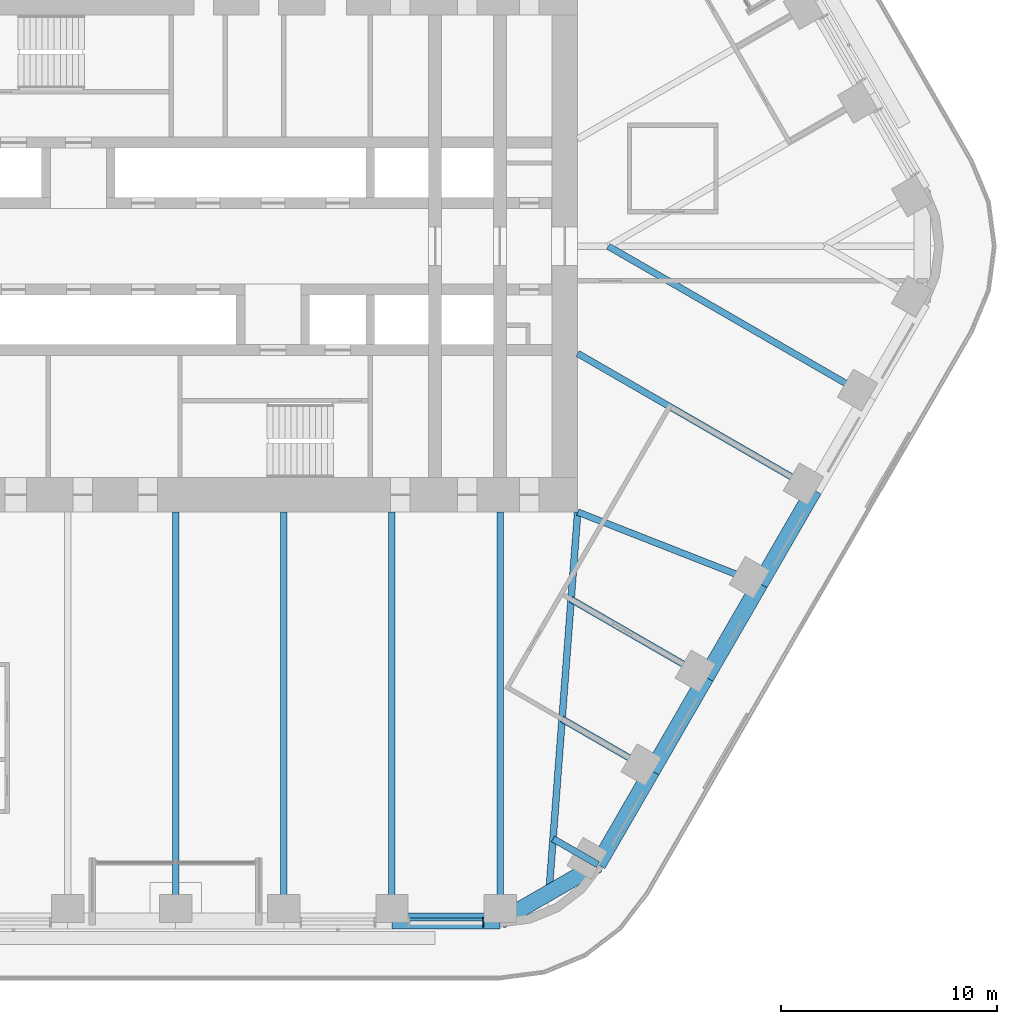
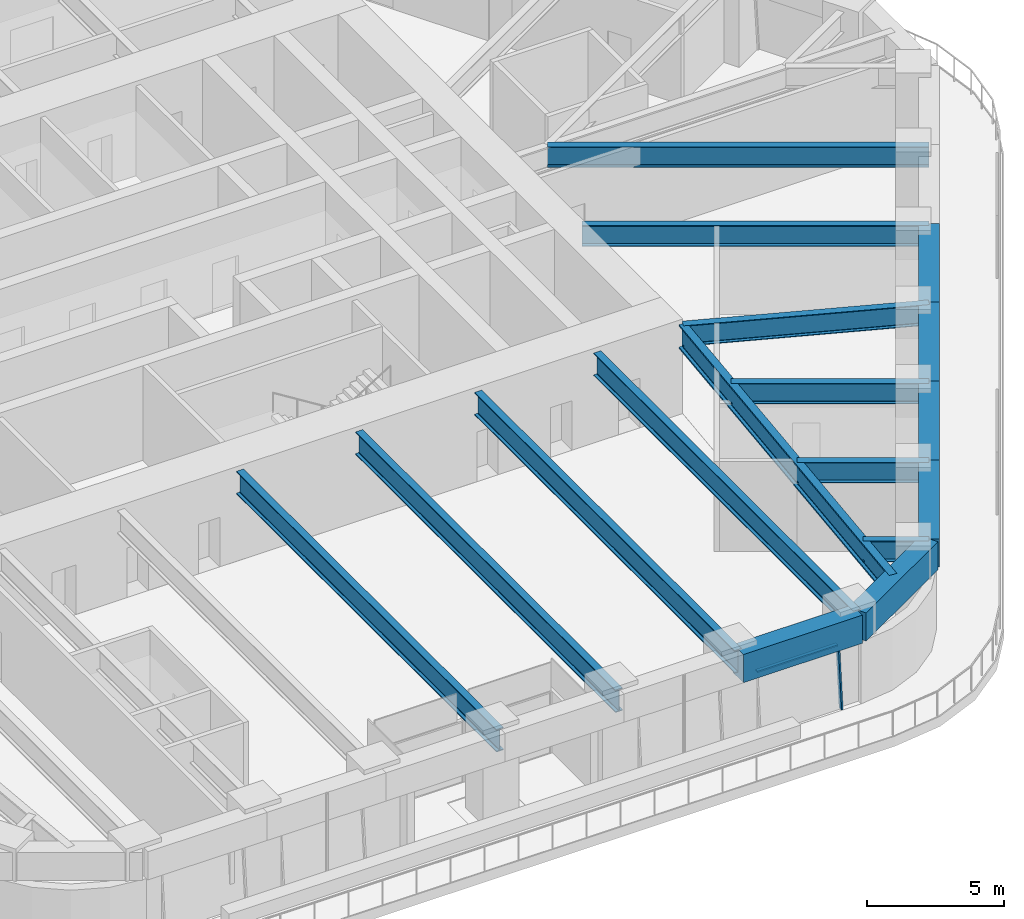
# One storey, part 5 of 24: 17 beams, 2 members, 1 element without a shape of its own.
"""IFC4 building model written with IfcOpenShell, lengths in metres."""

import ifcopenshell
import ifcopenshell.guid

model = None  # the IFC model being written
_history = None  # IfcOwnerHistory: only IFC2X3 demands one
_inside = {}  # id of a spatial element -> (the spatial element, [elements in it])
_under = {}  # id of a project, library or spatial element -> (it, [spatial elements below it])
_declared = {}  # id of a project -> (the project, [libraries it declares])
_typed = {}  # id of a type object -> (the type object, [elements of that type])
_made_of = {}  # id of a material, layer set ... -> (it, [elements and type objects made of it])


def new_model(schema):
    """Start an empty IFC model of exactly this schema.

    Asked for "IFC4X3", IfcOpenShell would pick the latest addendum, in which some entities
    have other attributes; the version numbers below select the first issue.
    IFC2X3 requires an IfcOwnerHistory on every rooted entity: one is made here for all.
    """
    global model, _history
    if schema == "IFC4X3":
        model = ifcopenshell.file(schema_version=(4, 3, 0, 0))
    else:
        model = ifcopenshell.file(schema=schema)
    _inside.clear()
    _under.clear()
    _declared.clear()
    _typed.clear()
    _made_of.clear()
    _history = None
    if model.schema == "IFC2X3":
        org = make("IfcOrganization", Name="unknown")
        user = make(
            "IfcPersonAndOrganization",
            ThePerson=make("IfcPerson", FamilyName="unknown"),
            TheOrganization=org,
        )
        app = make(
            "IfcApplication",
            ApplicationDeveloper=org,
            Version="unknown",
            ApplicationFullName="unknown",
            ApplicationIdentifier="unknown",
        )
        _history = make(
            "IfcOwnerHistory",
            OwningUser=user,
            OwningApplication=app,
            ChangeAction="ADDED",
            CreationDate=0,
        )
    return model


def make(cls, **values):
    """One entity of the class cls with the attributes given. An attribute that is None is left unset."""
    return model.create_entity(
        cls, **{name: value for name, value in values.items() if value is not None}
    )


def rooted(cls, **values):
    """An entity with a GlobalId (a new one), such as an element, a storey or a relation."""
    return make(cls, GlobalId=ifcopenshell.guid.new(), OwnerHistory=_history, **values)


def si_unit(unit_type, name, prefix=None):
    """IfcSIUnit, for example si_unit("LENGTHUNIT", "METRE", prefix="MILLI")."""
    return make("IfcSIUnit", UnitType=unit_type, Prefix=prefix, Name=name)


def assignment(units):
    """IfcUnitAssignment: the units of a project."""
    return None if units is None else make("IfcUnitAssignment", Units=units)


def point(xyz):
    """IfcCartesianPoint."""
    return None if xyz is None else make("IfcCartesianPoint", Coordinates=xyz)


def direction(xyz):
    """IfcDirection."""
    return None if xyz is None else make("IfcDirection", DirectionRatios=xyz)


def frame(location, z_axis=None, x_axis=None):
    """IfcAxis2Placement3D, a coordinate frame: its origin and axes. An axis left out is left unset."""
    return make(
        "IfcAxis2Placement3D",
        Location=point(location),
        Axis=direction(z_axis),
        RefDirection=direction(x_axis),
    )


def frame_2d(location, x_axis=None):
    """IfcAxis2Placement2D, a coordinate frame in the plane: its origin and x axis."""
    return make(
        "IfcAxis2Placement2D", Location=point(location), RefDirection=direction(x_axis)
    )


def origin():
    """The frame at (0, 0, 0) with its axes left unset."""
    return frame((0.0, 0.0, 0.0))


def origin_2d():
    """The frame at (0, 0) in the plane with its x axis left unset."""
    return frame_2d((0.0, 0.0))


def place(relative_to, where):
    """IfcLocalPlacement: puts the frame where relative to a parent placement (None: the world)."""
    return make(
        "IfcLocalPlacement", PlacementRelTo=relative_to, RelativePlacement=where
    )


def context(
    kind, dimensions, precision=None, world=None, true_north=None, identifier=None
):
    """IfcGeometricRepresentationContext, for example the 3D "Model" context."""
    return make(
        "IfcGeometricRepresentationContext",
        ContextIdentifier=identifier,
        ContextType=kind,
        CoordinateSpaceDimension=dimensions,
        Precision=precision,
        WorldCoordinateSystem=world,
        TrueNorth=true_north,
    )


def subcontext(parent, identifier, kind, view, scale=None):
    """IfcGeometricRepresentationSubContext, for example "Body" below "Model"."""
    return make(
        "IfcGeometricRepresentationSubContext",
        ContextIdentifier=identifier,
        ContextType=kind,
        ParentContext=parent,
        TargetScale=scale,
        TargetView=view,
    )


def project(units=None, contexts=None):
    """IfcProject with its units and contexts."""
    return rooted(
        "IfcProject",
        Name="project",
        RepresentationContexts=contexts,
        UnitsInContext=assignment(units),
    )


def spatial(cls, under=None, at=None, **own):
    """A site, building, storey or space (cls), placed at a placement, below another one or the project."""
    s = rooted(cls, ObjectPlacement=at, **own)
    if under is not None:
        _under.setdefault(under.id(), (under, []))[1].append(s)
    return s


def profile(cls, at=None, kind="AREA", **sizes):
    """A parametric profile (cls). Its sizes go by their IFC names, for example OverallWidth=200.0."""
    return make(cls, ProfileType=kind, Position=at, **sizes)


def rectangle(**sizes):
    """IfcRectangleProfileDef."""
    return profile("IfcRectangleProfileDef", **sizes)


def i_section(**sizes):
    """IfcIShapeProfileDef."""
    return profile("IfcIShapeProfileDef", **sizes)


def extrude(swept, where, along, depth):
    """IfcExtrudedAreaSolid: the profile swept, set in the frame where, extruded along a direction by depth."""
    return make(
        "IfcExtrudedAreaSolid",
        SweptArea=swept,
        Position=where,
        ExtrudedDirection=direction(along),
        Depth=depth,
    )


def shape(context_of_items, identifier, shape_type, items):
    """IfcShapeRepresentation: the items that make up one representation, for example the "Body"."""
    return make(
        "IfcShapeRepresentation",
        ContextOfItems=context_of_items,
        RepresentationIdentifier=identifier,
        RepresentationType=shape_type,
        Items=items,
    )


def material(Name=None, Category=None):
    """IfcMaterial."""
    return make("IfcMaterial", Name=Name, Category=Category)


def material_profile(
    of_material, cross_section, Name=None, Category=None, Priority=None
):
    """IfcMaterialProfile: a cross section and its material."""
    return make(
        "IfcMaterialProfile",
        Name=Name,
        Material=of_material,
        Profile=cross_section,
        Priority=Priority,
        Category=Category,
    )


def profile_set(profiles, Name=None, composite=None):
    """IfcMaterialProfileSet."""
    return make(
        "IfcMaterialProfileSet",
        Name=Name,
        MaterialProfiles=profiles,
        CompositeProfile=composite,
    )


def made_of(thing, what):
    """Note that an element or type object is made of a material, layer set ...; save() writes the relation."""
    if what is not None:
        _made_of.setdefault(what.id(), (what, []))[1].append(thing)
    return thing


def type_object(cls, material=None, **own):
    """A type object (cls), such as IfcWallType, which elements share."""
    return made_of(rooted(cls, **own), material)


def element(
    cls,
    number,
    at=None,
    inside=None,
    cuts=None,
    type_object=None,
    material=None,
    context=None,
    identifier="Body",
    shape_type=None,
    held_by="IfcProductDefinitionShape",
    body=None,
    shapes=None,
    **own,
):
    """One element of the class cls, such as IfcWall. Its Tag is "e" and its number.

    at: its placement. inside: the storey or other place that contains it. cuts: it is an
    opening in that element (IfcRelVoidsElement). A single representation is given by context,
    identifier, shape_type and body (its items); several are given by shapes. held_by: the class
    of the entity that holds the representations. save() writes the other relations.
    """
    e = rooted(cls, Tag="e%d" % number, ObjectPlacement=at, **own)
    if body is not None:
        shapes = [shape(context, identifier, shape_type, body)]
    if shapes is not None:
        e.Representation = make(held_by, Representations=shapes)
    if inside is not None:
        _inside.setdefault(inside.id(), (inside, []))[1].append(e)
    if cuts is not None:
        rooted(
            "IfcRelVoidsElement", RelatingBuildingElement=cuts, RelatedOpeningElement=e
        )
    if type_object is not None:
        _typed.setdefault(type_object.id(), (type_object, []))[1].append(e)
    return made_of(e, material)


def aggregate(whole, parts):
    """IfcRelAggregates: a whole, such as a stair, and the parts it consists of."""
    return rooted("IfcRelAggregates", RelatingObject=whole, RelatedObjects=parts)


def save(model, path):
    """Write the relations noted so far, then the file.

    IfcRelAggregates (storeys below a building ...), IfcRelContainedInSpatialStructure (elements
    in a storey), IfcRelDefinesByType, IfcRelAssociatesMaterial and IfcRelDeclares: one each for
    every whole, place, type object, material and project.
    """
    for whole, parts in _under.values():
        aggregate(whole, parts)
    for where, things in _inside.values():
        rooted(
            "IfcRelContainedInSpatialStructure",
            RelatedElements=things,
            RelatingStructure=where,
        )
    for kind, things in _typed.values():
        rooted("IfcRelDefinesByType", RelatedObjects=things, RelatingType=kind)
    for what, things in _made_of.values():
        rooted("IfcRelAssociatesMaterial", RelatedObjects=things, RelatingMaterial=what)
    for by, libraries in _declared.values():
        rooted("IfcRelDeclares", RelatingContext=by, RelatedDefinitions=libraries)
    model.write(path)


model = new_model("IFC4")

# Units and contexts
model_context = context("Model", 3, precision=1e-05, world=origin(), true_north=direction((0.0, 1.0)))
body_context = subcontext(model_context, "Body", "Model", "MODEL_VIEW")
ifc_project = project(units=[si_unit("LENGTHUNIT", "METRE"), si_unit("AREAUNIT", "SQUARE_METRE"), si_unit("VOLUMEUNIT", "CUBIC_METRE"), si_unit("PLANEANGLEUNIT", "RADIAN"), si_unit("MASSUNIT", "GRAM", prefix="KILO")], contexts=[model_context])

# Site, building, storey
site_placement = place(None, origin())
site = spatial("IfcSite", under=ifc_project, at=site_placement, CompositionType="ELEMENT")
building_placement = place(site_placement, origin())
building = spatial("IfcBuilding", under=site, at=building_placement, Name="Tarfa Lantern Tower", CompositionType="ELEMENT")
storey_placement = place(building_placement, frame((0.0, 0.0, 190.89990234375)))
storey = spatial("IfcBuildingStorey", under=building, at=storey_placement, Name="L43", CompositionType="ELEMENT", Elevation=190.89990234375)

# Curtain wall, members
ifc_material_1 = material(Name="Aluminium framed curtain wall", Category="aluminium")
curtain_wall_type = type_object("IfcCurtainWallType", Name="CW2 CANTED GLAZING MID ZONE 2750", PredefinedType="USERDEFINED", material=ifc_material_1)
curtain_wall_placement = place(storey_placement, origin())
curtain_wall = element("IfcCurtainWall", 1, at=curtain_wall_placement, inside=storey, type_object=curtain_wall_type, Name="CW2 SB L43", ObjectType="CURTAIN WALL", PredefinedType="USERDEFINED")
ifc_material_2 = material(Name="Aluminium mullion", Category="aluminium")
ifc_material_profile_1 = material_profile(ifc_material_2, rectangle(XDim=0.06494140625, YDim=0.199951171875, at=origin_2d()), Name="AL MULLION 65x200")
ifc_profile_set_1 = profile_set([ifc_material_profile_1], Name="Aluminium mullion")
member_type_1 = type_object("IfcMemberType", Name="CWM1 MULLION 65x200", PredefinedType="MULLION", material=ifc_profile_set_1)
member_1_placement = place(storey_placement, frame((14.228515625, -31.39990234375, 0.0), z_axis=(0.0, 0.090535746043, 0.995893206468), x_axis=(-1.0, 0.0, 0.0)))
member_1 = element("IfcMember", 2, at=member_1_placement, type_object=member_type_1, Name="CW2 mullion 2", PredefinedType="MULLION", context=body_context, shape_type="SweptSolid", body=[
    extrude(rectangle(XDim=0.06494140625, YDim=0.199951171875, at=origin_2d()), origin(), (0.0, 0.0, 1.0), 2.76123046875),
])
ifc_material_3 = material(Name="Aluminium transom", Category="aluminium")
ifc_material_profile_2 = material_profile(ifc_material_3, rectangle(XDim=0.14990234375, YDim=0.06494140625, at=origin_2d()), Name="AL TRANSOM 150x65")
ifc_profile_set_2 = profile_set([ifc_material_profile_2], Name="Aluminium transom")
member_type_2 = type_object("IfcMemberType", Name="CWT1 TRANSOM 150x65", PredefinedType="USERDEFINED", material=ifc_profile_set_2)
member_2_placement = place(storey_placement, frame((10.822509765625, -31.153076171875, 2.717529296875), z_axis=(1.0, 0.0, 0.0), x_axis=(0.0, 1.0, 0.0)))
member_2 = element("IfcMember", 3, at=member_2_placement, type_object=member_type_2, Name="CW2 transom 1.2", ObjectType="TRANSOM", PredefinedType="USERDEFINED", context=body_context, shape_type="SweptSolid", body=[
    extrude(rectangle(XDim=0.14990234375, YDim=0.06494140625, at=origin_2d()), origin(), (0.0, 0.0, 1.0), 3.37353515625),
])
aggregate(curtain_wall, [member_1, member_2])

# Beams
ifc_material_4 = material(Name="Concrete C80/95", Category="concrete")
ifc_material_profile_3 = material_profile(ifc_material_4, rectangle(XDim=0.75, YDim=1.25, at=origin_2d()), Name="RC 750x1250")
ifc_profile_set_3 = profile_set([ifc_material_profile_3], Name="Concrete C80/95")
beam_type_1 = type_object("IfcBeamType", Name="EB2 RC 750x1250", PredefinedType="SPANDREL", material=ifc_profile_set_3)
beam_1_placement = place(storey_placement, frame((10.00732421875, -31.219970703125, 3.375), z_axis=(1.0, 0.0, 0.0), x_axis=(0.0, 1.0, 0.0)))
element("IfcBeam", 4, at=beam_1_placement, inside=storey, type_object=beam_type_1, Name="Edge beam S5", PredefinedType="SPANDREL", context=body_context, shape_type="SweptSolid", body=[
    extrude(rectangle(XDim=0.75, YDim=1.25, at=origin_2d()), origin(), (0.0, 0.0, 1.0), 5.003662109375),
])
beam_2_placement = place(storey_placement, frame((15.010986328125, -31.219970703125, 3.375), z_axis=(0.86604150238, 0.499972115377, 0.0), x_axis=(-0.499972115377, 0.86604150238, 0.0)))
element("IfcBeam", 5, at=beam_2_placement, inside=storey, type_object=beam_type_1, Name="Edge beam S6", PredefinedType="SPANDREL", context=body_context, shape_type="SweptSolid", body=[
    extrude(rectangle(XDim=0.75, YDim=1.25, at=origin_2d()), origin(), (0.0, 0.0, 1.0), 5.219970703125),
])
beam_3_placement = place(storey_placement, frame((19.53173828125, -28.610107421875, 3.375), z_axis=(0.500001197378, 0.866024712477, 0.0), x_axis=(-0.866024712477, 0.500001197378, 0.0)))
element("IfcBeam", 6, at=beam_3_placement, inside=storey, type_object=beam_type_1, Name="Edge beam SE0", PredefinedType="SPANDREL", context=body_context, shape_type="SweptSolid", body=[
    extrude(rectangle(XDim=0.75, YDim=1.25, at=origin_2d()), origin(), (0.0, 0.0, 1.0), 5.00390625),
])
for number, where, z_axis, x_axis, name in (
    (7, (22.03369140625, -24.276611328125, 3.375), (0.49998573051, 0.866033642122, 0.0), (-0.866033642122, 0.49998573051, 0.0), "Edge beam SE1"),
    (8, (24.535400390625, -19.943359375, 3.375), (0.500022324899, 0.866012514114, 0.0), (-0.866012514114, 0.500022324899, 0.0), "Edge beam SE2"),
    (9, (27.037353515625, -15.610107421875, 3.375), (0.499964603504, 0.866045838996, 0.0), (-0.866045838996, 0.499964603504, 0.0), "Edge beam SE3"),
):
    element("IfcBeam", number, at=place(storey_placement, frame(where, z_axis=z_axis, x_axis=x_axis)), inside=storey, type_object=beam_type_1, Name=name, PredefinedType="SPANDREL", context=body_context, shape_type="SweptSolid", body=[
        extrude(rectangle(XDim=0.75, YDim=1.25, at=origin_2d()), origin(), (0.0, 0.0, 1.0), 5.003662109375),
    ])
ifc_material_5 = material(Name="Steel S460M", Category="steel")
ifc_material_profile_4 = material_profile(ifc_material_5, i_section(OverallWidth=0.302001953125, OverallDepth=1.008056640625, WebThickness=0.02099609375, FlangeThickness=0.0400390625, FilletRadius=0.030029296875, at=origin_2d()), Name="UB1016x305x349")
ifc_profile_set_4 = profile_set([ifc_material_profile_4], Name="Steel S460M")
beam_type_2 = type_object("IfcBeamType", Name="UB1016x305x349", PredefinedType="BEAM", material=ifc_profile_set_4)
for number, where, z_axis, x_axis, name in (
    (10, (0.0, -31.219970703125, 3.49609375), (0.0, 1.0, 0.0), (-1.0, 0.0, 0.0), "Floor beam S3"),
    (11, (5.003662109375, -31.219970703125, 3.49609375), (0.0, 1.0, 0.0), (-1.0, 0.0, 0.0), "Floor beam S4"),
    (12, (10.00732421875, -31.219970703125, 3.49609375), (0.0, 1.0, 0.0), (-1.0, 0.0, 0.0), "Floor beam S5"),
    (13, (15.010986328125, -31.219970703125, 3.49609375), (0.0, 1.0, 0.0), (-1.0, 0.0, 0.0), "Floor beam S6"),
):
    element("IfcBeam", number, at=place(storey_placement, frame(where, z_axis=z_axis, x_axis=x_axis)), inside=storey, type_object=beam_type_2, Name=name, PredefinedType="BEAM", context=body_context, shape_type="SweptSolid", body=[
        extrude(i_section(OverallWidth=0.302001953125, OverallDepth=1.008056640625, WebThickness=0.02099609375, FlangeThickness=0.0400390625, FilletRadius=0.030029296875, at=origin_2d()), origin(), (0.0, 0.0, 1.0), 18.919921875),
    ])
ifc_material_profile_5 = material_profile(ifc_material_5, i_section(OverallWidth=0.314208984375, OverallDepth=1.055908203125, WebThickness=0.035888671875, FlangeThickness=0.06396484375, FilletRadius=0.030029296875, at=origin_2d()), Name="UB1016x305x584")
ifc_profile_set_5 = profile_set([ifc_material_profile_5], Name="Steel S460M")
beam_type_3 = type_object("IfcBeamType", Name="UB1016x305x584", PredefinedType="BEAM", material=ifc_profile_set_5)
beam_4_placement = place(storey_placement, frame((18.60009765625, -12.300048828125, 3.47216796875), z_axis=(-0.075211516041, -0.99716760269, 0.0), x_axis=(0.99716760269, -0.075211516041, 0.0)))
element("IfcBeam", 14, at=beam_4_placement, inside=storey, type_object=beam_type_3, Name="Hip girder SE", PredefinedType="BEAM", context=body_context, shape_type="SweptSolid", body=[
    extrude(i_section(OverallWidth=0.314208984375, OverallDepth=1.055908203125, WebThickness=0.035888671875, FlangeThickness=0.06396484375, FilletRadius=0.030029296875, at=origin_2d()), origin(), (0.0, 0.0, 1.0), 17.6650390625),
])
ifc_material_profile_6 = material_profile(ifc_material_5, i_section(OverallWidth=0.305419921875, OverallDepth=0.91845703125, WebThickness=0.017333984375, FlangeThickness=0.02783203125, FilletRadius=0.01904296875, at=origin_2d()), Name="UB914x305x253")
ifc_profile_set_6 = profile_set([ifc_material_profile_6], Name="Steel S460M")
beam_type_4 = type_object("IfcBeamType", Name="UB914x305x253", PredefinedType="BEAM", material=ifc_profile_set_6)
beam_5_placement = place(storey_placement, frame((19.53173828125, -28.610107421875, 3.541015625), z_axis=(-0.865998640954, 0.500046351717, 0.0), x_axis=(-0.500046351717, -0.865998640954, 0.0)))
element("IfcBeam", 15, at=beam_5_placement, inside=storey, type_object=beam_type_4, Name="Floor beam SE0", PredefinedType="BEAM", context=body_context, shape_type="SweptSolid", body=[
    extrude(i_section(OverallWidth=0.305419921875, OverallDepth=0.91845703125, WebThickness=0.017333984375, FlangeThickness=0.02783203125, FilletRadius=0.01904296875, at=origin_2d()), origin(), (0.0, 0.0, 1.0), 2.392333984375),
])
beam_6_placement = place(storey_placement, frame((22.03369140625, -24.276611328125, 3.541015625), z_axis=(-0.866030550462, 0.499991085587, 0.0), x_axis=(-0.499991085587, -0.866030550462, 0.0)))
element("IfcBeam", 16, at=beam_6_placement, inside=storey, type_object=beam_type_4, Name="Floor beam SE1", PredefinedType="BEAM", context=body_context, shape_type="SweptSolid", body=[
    extrude(i_section(OverallWidth=0.305419921875, OverallDepth=0.91845703125, WebThickness=0.017333984375, FlangeThickness=0.02783203125, FilletRadius=0.01904296875, at=origin_2d()), origin(), (0.0, 0.0, 1.0), 4.798828125),
])
beam_7_placement = place(storey_placement, frame((24.535400390625, -19.943359375, 3.541015625), z_axis=(-0.86602647304, 0.499998147991, 0.0), x_axis=(-0.499998147991, -0.86602647304, 0.0)))
element("IfcBeam", 17, at=beam_7_placement, inside=storey, type_object=beam_type_4, Name="Floor beam SE2", PredefinedType="BEAM", context=body_context, shape_type="SweptSolid", body=[
    extrude(i_section(OverallWidth=0.305419921875, OverallDepth=0.91845703125, WebThickness=0.017333984375, FlangeThickness=0.02783203125, FilletRadius=0.01904296875, at=origin_2d()), origin(), (0.0, 0.0, 1.0), 7.20556640625),
])
beam_8_placement = place(storey_placement, frame((27.037353515625, -15.610107421875, 3.541015625), z_axis=(-0.930923282782, 0.365214788274, 0.0), x_axis=(-0.365214788274, -0.930923282782, 0.0)))
element("IfcBeam", 18, at=beam_8_placement, inside=storey, type_object=beam_type_4, Name="Floor beam SE3", PredefinedType="BEAM", context=body_context, shape_type="SweptSolid", body=[
    extrude(i_section(OverallWidth=0.305419921875, OverallDepth=0.91845703125, WebThickness=0.017333984375, FlangeThickness=0.02783203125, FilletRadius=0.01904296875, at=origin_2d()), origin(), (0.0, 0.0, 1.0), 9.063232421875),
])
beam_9_placement = place(storey_placement, frame((29.5390625, -11.276611328125, 3.541015625), z_axis=(-0.866023362995, 0.500003534735, 0.0), x_axis=(-0.500003534735, -0.866023362995, 0.0)))
element("IfcBeam", 19, at=beam_9_placement, inside=storey, type_object=beam_type_4, Name="Floor beam SE4", PredefinedType="BEAM", context=body_context, shape_type="SweptSolid", body=[
    extrude(i_section(OverallWidth=0.305419921875, OverallDepth=0.91845703125, WebThickness=0.017333984375, FlangeThickness=0.02783203125, FilletRadius=0.01904296875, at=origin_2d()), origin(), (0.0, 0.0, 1.0), 12.63134765625),
])
beam_10_placement = place(storey_placement, frame((32.041015625, -6.943359375, 3.541015625), z_axis=(-0.866023096411, 0.500003996466, 0.0), x_axis=(-0.500003996466, -0.866023096411, 0.0)))
element("IfcBeam", 20, at=beam_10_placement, inside=storey, type_object=beam_type_4, Name="Floor beam SE5", PredefinedType="BEAM", context=body_context, shape_type="SweptSolid", body=[
    extrude(i_section(OverallWidth=0.305419921875, OverallDepth=0.91845703125, WebThickness=0.017333984375, FlangeThickness=0.02783203125, FilletRadius=0.01904296875, at=origin_2d()), origin(), (0.0, 0.0, 1.0), 13.88671875),
])

save(model, "model.ifc")
